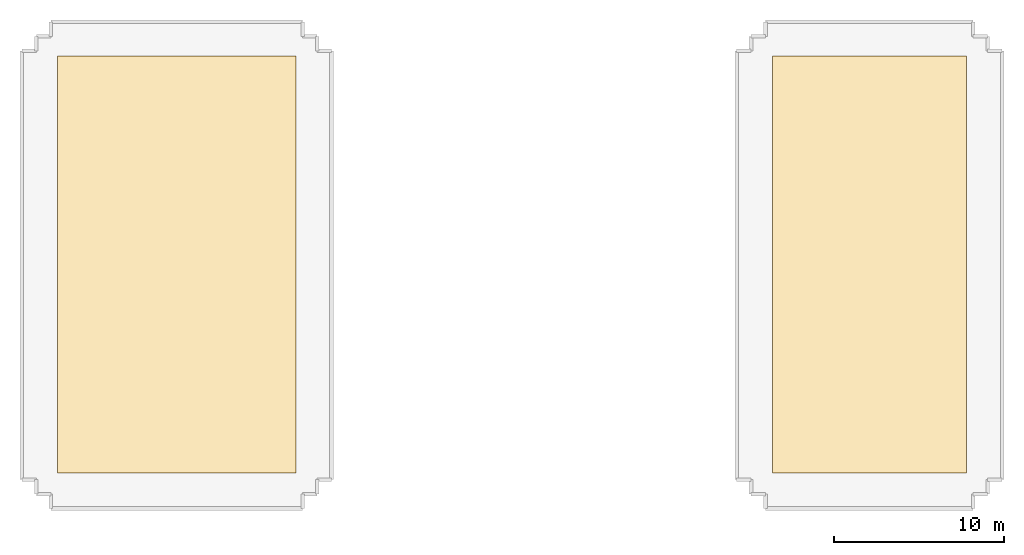
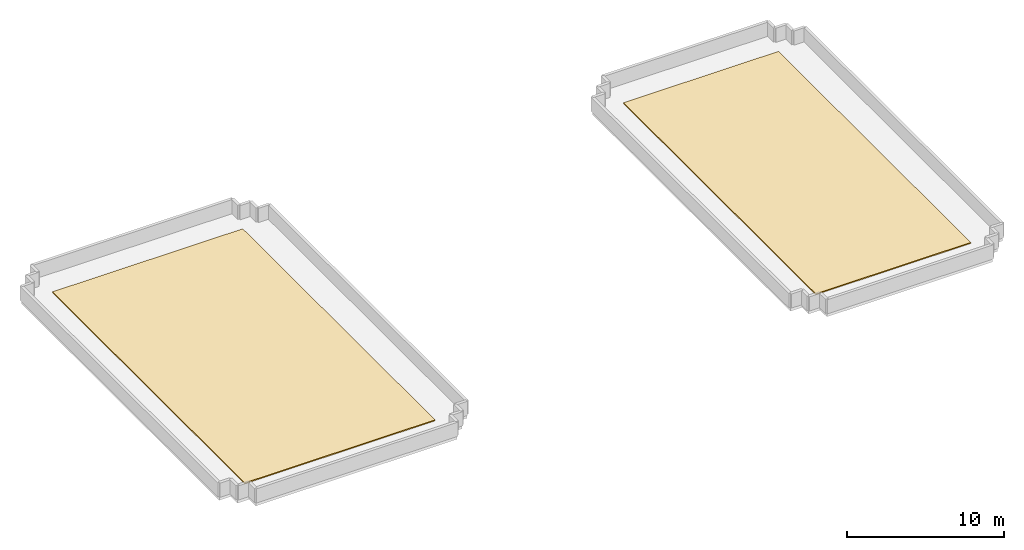
# One storey, part 2 of 2: 2 coverings.
"""IFC4 building model written with IfcOpenShell, lengths in metres."""

from ifc_helpers import new_model, si_unit, direction, frame, origin, place, context, subcontext, project, spatial, polyline, outline, extrude, material, layer, layer_set, type_object, element, save


model = new_model("IFC4")

# Units and contexts
model_context = context("Model", 3, precision=1e-05, world=origin(), true_north=direction((0.0, 1.0)))
body_context = subcontext(model_context, "Body", "Model", "MODEL_VIEW")
ifc_project = project(units=[si_unit("LENGTHUNIT", "METRE"), si_unit("AREAUNIT", "SQUARE_METRE"), si_unit("VOLUMEUNIT", "CUBIC_METRE"), si_unit("PLANEANGLEUNIT", "RADIAN"), si_unit("MASSUNIT", "GRAM", prefix="KILO")], contexts=[model_context])

# Site, building, storey
site_placement = place(None, origin())
site = spatial("IfcSite", under=ifc_project, at=site_placement, CompositionType="ELEMENT")
building_placement = place(site_placement, origin())
building = spatial("IfcBuilding", under=site, at=building_placement, Name="Trelvane Seafront Commons", CompositionType="ELEMENT")
storey_placement = place(building_placement, frame((0.0, 0.0, 325.10009765625)))
storey = spatial("IfcBuildingStorey", under=building, at=storey_placement, Name="RF", CompositionType="ELEMENT", Elevation=325.10009765625)

# Coverings
ifc_material = material(Name="Polymer-Modified Bitumen Membrane")
ifc_layer = layer(ifc_material, 0.080078125, Name="ARCH-COV-ROOF80")
ifc_layer_set = layer_set([ifc_layer], Name="Polymer-Modified Bitumen Membrane")
covering_type = type_object("IfcCoveringType", Name="ARCH-COV-ROOF80", PredefinedType="ROOFING", material=ifc_layer_set)
covering_1_placement = place(storey_placement, origin())
element("IfcCovering", 1, at=covering_1_placement, inside=storey, type_object=covering_type, Name="COV-ROOF-RF-12", PredefinedType="ROOFING", context=body_context, shape_type="SweptSolid", body=[
    extrude(outline(polyline([(10.5, 19.5), (24.5, 19.5), (24.5, 44.0), (10.5, 44.0), (10.5, 19.5)])), origin(), (0.0, 0.0, 1.0), 0.079833984375),
])
covering_2_placement = place(storey_placement, origin())
element("IfcCovering", 2, at=covering_2_placement, inside=storey, type_object=covering_type, Name="COV-ROOF-RF-13", PredefinedType="ROOFING", context=body_context, shape_type="SweptSolid", body=[
    extrude(outline(polyline([(52.5, 19.5), (63.89990234375, 19.5), (63.89990234375, 44.0), (52.5, 44.0), (52.5, 19.5)])), origin(), (0.0, 0.0, 1.0), 0.079833984375),
])

save(model, "model.ifc")
